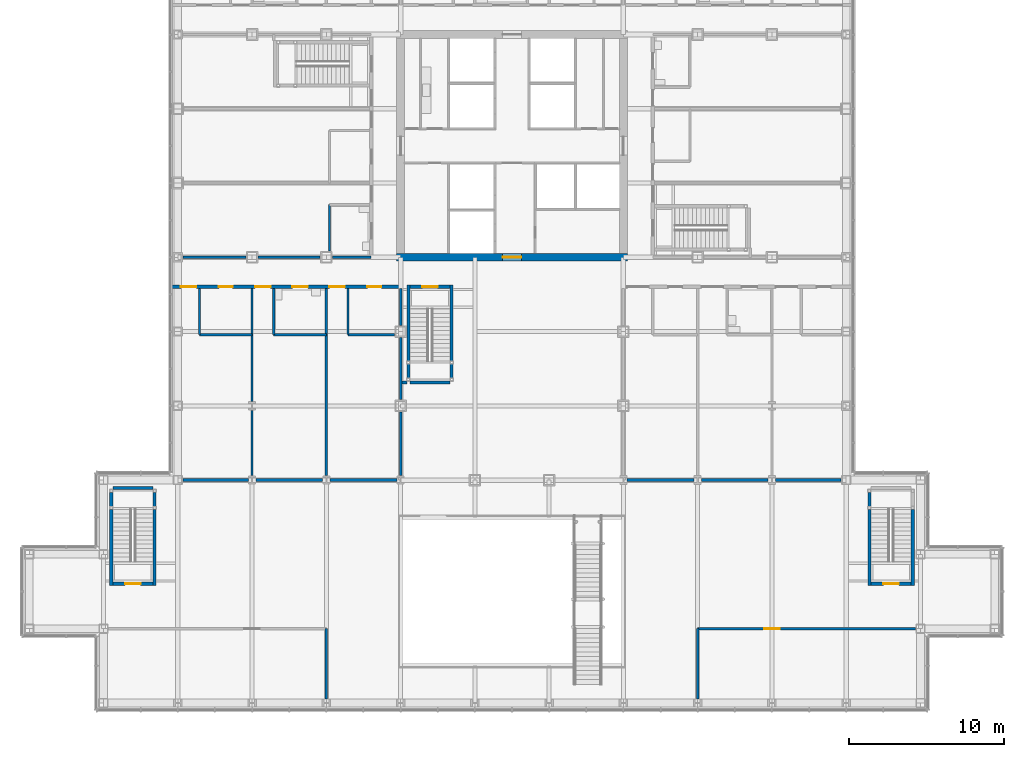
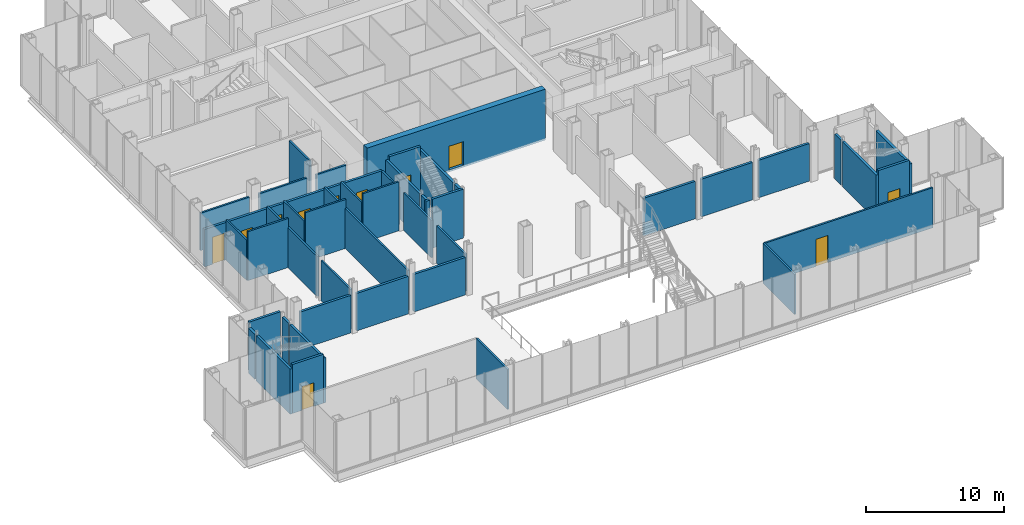
# One storey, part 19 of 28: 44 walls, 11 doors, 11 openings.
"""IFC4 building model written with IfcOpenShell, lengths in metres."""

import ifcopenshell
import ifcopenshell.guid

model = None  # the IFC model being written
_history = None  # IfcOwnerHistory: only IFC2X3 demands one
_inside = {}  # id of a spatial element -> (the spatial element, [elements in it])
_under = {}  # id of a project, library or spatial element -> (it, [spatial elements below it])
_declared = {}  # id of a project -> (the project, [libraries it declares])
_typed = {}  # id of a type object -> (the type object, [elements of that type])
_made_of = {}  # id of a material, layer set ... -> (it, [elements and type objects made of it])


def new_model(schema):
    """Start an empty IFC model of exactly this schema.

    Asked for "IFC4X3", IfcOpenShell would pick the latest addendum, in which some entities
    have other attributes; the version numbers below select the first issue.
    IFC2X3 requires an IfcOwnerHistory on every rooted entity: one is made here for all.
    """
    global model, _history
    if schema == "IFC4X3":
        model = ifcopenshell.file(schema_version=(4, 3, 0, 0))
    else:
        model = ifcopenshell.file(schema=schema)
    _inside.clear()
    _under.clear()
    _declared.clear()
    _typed.clear()
    _made_of.clear()
    _history = None
    if model.schema == "IFC2X3":
        org = make("IfcOrganization", Name="unknown")
        user = make(
            "IfcPersonAndOrganization",
            ThePerson=make("IfcPerson", FamilyName="unknown"),
            TheOrganization=org,
        )
        app = make(
            "IfcApplication",
            ApplicationDeveloper=org,
            Version="unknown",
            ApplicationFullName="unknown",
            ApplicationIdentifier="unknown",
        )
        _history = make(
            "IfcOwnerHistory",
            OwningUser=user,
            OwningApplication=app,
            ChangeAction="ADDED",
            CreationDate=0,
        )
    return model


def make(cls, **values):
    """One entity of the class cls with the attributes given. An attribute that is None is left unset."""
    return model.create_entity(
        cls, **{name: value for name, value in values.items() if value is not None}
    )


def rooted(cls, **values):
    """An entity with a GlobalId (a new one), such as an element, a storey or a relation."""
    return make(cls, GlobalId=ifcopenshell.guid.new(), OwnerHistory=_history, **values)


def si_unit(unit_type, name, prefix=None):
    """IfcSIUnit, for example si_unit("LENGTHUNIT", "METRE", prefix="MILLI")."""
    return make("IfcSIUnit", UnitType=unit_type, Prefix=prefix, Name=name)


def assignment(units):
    """IfcUnitAssignment: the units of a project."""
    return None if units is None else make("IfcUnitAssignment", Units=units)


def point(xyz):
    """IfcCartesianPoint."""
    return None if xyz is None else make("IfcCartesianPoint", Coordinates=xyz)


def direction(xyz):
    """IfcDirection."""
    return None if xyz is None else make("IfcDirection", DirectionRatios=xyz)


def frame(location, z_axis=None, x_axis=None):
    """IfcAxis2Placement3D, a coordinate frame: its origin and axes. An axis left out is left unset."""
    return make(
        "IfcAxis2Placement3D",
        Location=point(location),
        Axis=direction(z_axis),
        RefDirection=direction(x_axis),
    )


def frame_2d(location, x_axis=None):
    """IfcAxis2Placement2D, a coordinate frame in the plane: its origin and x axis."""
    return make(
        "IfcAxis2Placement2D", Location=point(location), RefDirection=direction(x_axis)
    )


def origin():
    """The frame at (0, 0, 0) with its axes left unset."""
    return frame((0.0, 0.0, 0.0))


def place(relative_to, where):
    """IfcLocalPlacement: puts the frame where relative to a parent placement (None: the world)."""
    return make(
        "IfcLocalPlacement", PlacementRelTo=relative_to, RelativePlacement=where
    )


def context(
    kind, dimensions, precision=None, world=None, true_north=None, identifier=None
):
    """IfcGeometricRepresentationContext, for example the 3D "Model" context."""
    return make(
        "IfcGeometricRepresentationContext",
        ContextIdentifier=identifier,
        ContextType=kind,
        CoordinateSpaceDimension=dimensions,
        Precision=precision,
        WorldCoordinateSystem=world,
        TrueNorth=true_north,
    )


def subcontext(parent, identifier, kind, view, scale=None):
    """IfcGeometricRepresentationSubContext, for example "Body" below "Model"."""
    return make(
        "IfcGeometricRepresentationSubContext",
        ContextIdentifier=identifier,
        ContextType=kind,
        ParentContext=parent,
        TargetScale=scale,
        TargetView=view,
    )


def project(units=None, contexts=None):
    """IfcProject with its units and contexts."""
    return rooted(
        "IfcProject",
        Name="project",
        RepresentationContexts=contexts,
        UnitsInContext=assignment(units),
    )


def spatial(cls, under=None, at=None, **own):
    """A site, building, storey or space (cls), placed at a placement, below another one or the project."""
    s = rooted(cls, ObjectPlacement=at, **own)
    if under is not None:
        _under.setdefault(under.id(), (under, []))[1].append(s)
    return s


def profile(cls, at=None, kind="AREA", **sizes):
    """A parametric profile (cls). Its sizes go by their IFC names, for example OverallWidth=200.0."""
    return make(cls, ProfileType=kind, Position=at, **sizes)


def rectangle(**sizes):
    """IfcRectangleProfileDef."""
    return profile("IfcRectangleProfileDef", **sizes)


def extrude(swept, where, along, depth):
    """IfcExtrudedAreaSolid: the profile swept, set in the frame where, extruded along a direction by depth."""
    return make(
        "IfcExtrudedAreaSolid",
        SweptArea=swept,
        Position=where,
        ExtrudedDirection=direction(along),
        Depth=depth,
    )


def shape(context_of_items, identifier, shape_type, items):
    """IfcShapeRepresentation: the items that make up one representation, for example the "Body"."""
    return make(
        "IfcShapeRepresentation",
        ContextOfItems=context_of_items,
        RepresentationIdentifier=identifier,
        RepresentationType=shape_type,
        Items=items,
    )


def material(Name=None, Category=None):
    """IfcMaterial."""
    return make("IfcMaterial", Name=Name, Category=Category)


def layer(
    of_material, thickness, ventilated=None, Name=None, Category=None, Priority=None
):
    """IfcMaterialLayer: one layer of a wall or slab, of a material (None: an air gap)."""
    return make(
        "IfcMaterialLayer",
        Material=of_material,
        LayerThickness=thickness,
        IsVentilated=ventilated,
        Name=Name,
        Category=Category,
        Priority=Priority,
    )


def layer_set(layers, Name=None):
    """IfcMaterialLayerSet."""
    return make("IfcMaterialLayerSet", MaterialLayers=layers, LayerSetName=Name)


def made_of(thing, what):
    """Note that an element or type object is made of a material, layer set ...; save() writes the relation."""
    if what is not None:
        _made_of.setdefault(what.id(), (what, []))[1].append(thing)
    return thing


def type_object(cls, material=None, **own):
    """A type object (cls), such as IfcWallType, which elements share."""
    return made_of(rooted(cls, **own), material)


def element(
    cls,
    number,
    at=None,
    inside=None,
    cuts=None,
    type_object=None,
    material=None,
    context=None,
    identifier="Body",
    shape_type=None,
    held_by="IfcProductDefinitionShape",
    body=None,
    shapes=None,
    **own,
):
    """One element of the class cls, such as IfcWall. Its Tag is "e" and its number.

    at: its placement. inside: the storey or other place that contains it. cuts: it is an
    opening in that element (IfcRelVoidsElement). A single representation is given by context,
    identifier, shape_type and body (its items); several are given by shapes. held_by: the class
    of the entity that holds the representations. save() writes the other relations.
    """
    e = rooted(cls, Tag="e%d" % number, ObjectPlacement=at, **own)
    if body is not None:
        shapes = [shape(context, identifier, shape_type, body)]
    if shapes is not None:
        e.Representation = make(held_by, Representations=shapes)
    if inside is not None:
        _inside.setdefault(inside.id(), (inside, []))[1].append(e)
    if cuts is not None:
        rooted(
            "IfcRelVoidsElement", RelatingBuildingElement=cuts, RelatedOpeningElement=e
        )
    if type_object is not None:
        _typed.setdefault(type_object.id(), (type_object, []))[1].append(e)
    return made_of(e, material)


def fill(opening, filler):
    """IfcRelFillsElement: the door or window that sits in an opening."""
    return rooted(
        "IfcRelFillsElement",
        RelatingOpeningElement=opening,
        RelatedBuildingElement=filler,
    )


def aggregate(whole, parts):
    """IfcRelAggregates: a whole, such as a stair, and the parts it consists of."""
    return rooted("IfcRelAggregates", RelatingObject=whole, RelatedObjects=parts)


def save(model, path):
    """Write the relations noted so far, then the file.

    IfcRelAggregates (storeys below a building ...), IfcRelContainedInSpatialStructure (elements
    in a storey), IfcRelDefinesByType, IfcRelAssociatesMaterial and IfcRelDeclares: one each for
    every whole, place, type object, material and project.
    """
    for whole, parts in _under.values():
        aggregate(whole, parts)
    for where, things in _inside.values():
        rooted(
            "IfcRelContainedInSpatialStructure",
            RelatedElements=things,
            RelatingStructure=where,
        )
    for kind, things in _typed.values():
        rooted("IfcRelDefinesByType", RelatedObjects=things, RelatingType=kind)
    for what, things in _made_of.values():
        rooted("IfcRelAssociatesMaterial", RelatedObjects=things, RelatingMaterial=what)
    for by, libraries in _declared.values():
        rooted("IfcRelDeclares", RelatingContext=by, RelatedDefinitions=libraries)
    model.write(path)


model = new_model("IFC4")

# Units and contexts
model_context = context("Model", 3, precision=1e-05, world=origin(), true_north=direction((0.0, 1.0)))
body_context = subcontext(model_context, "Body", "Model", "MODEL_VIEW")
ifc_project = project(units=[si_unit("LENGTHUNIT", "METRE"), si_unit("AREAUNIT", "SQUARE_METRE"), si_unit("VOLUMEUNIT", "CUBIC_METRE"), si_unit("PLANEANGLEUNIT", "RADIAN"), si_unit("MASSUNIT", "GRAM", prefix="KILO")], contexts=[model_context])

# Site, building, storey
site_placement = place(None, origin())
site = spatial("IfcSite", under=ifc_project, at=site_placement, CompositionType="ELEMENT")
building_placement = place(site_placement, origin())
building = spatial("IfcBuilding", under=site, at=building_placement, Name="Kvirike Care Tower", CompositionType="ELEMENT")
storey_placement = place(building_placement, frame((0.0, 0.0, 4.5)))
storey = spatial("IfcBuildingStorey", under=building, at=storey_placement, Name="L01", CompositionType="ELEMENT", Elevation=4.5)

# Walls
ifc_material_1 = material(Name="Plasterboard partition", Category="gypsum")
ifc_layer_1 = layer(ifc_material_1, 0.14990234375)
ifc_layer_set_1 = layer_set([ifc_layer_1], Name="CLINIC PARTITION 150")
wall_type_1 = type_object("IfcWallType", Name="CLINIC PARTITION 150", PredefinedType="PARTITIONING", material=ifc_layer_set_1)
wall_1_placement = place(storey_placement, frame((1.39990234375, 23.800048828125, 0.0), z_axis=(0.0, 0.0, 1.0), x_axis=(0.0, 1.0, 0.0)))
element("IfcWall", 1, at=wall_1_placement, inside=storey, type_object=wall_type_1, Name="Clinic Partition 150 L01", PredefinedType="PARTITIONING", context=body_context, shape_type="SweptSolid", body=[
    extrude(rectangle(XDim=3.0, YDim=0.14990234375, at=frame_2d((1.5, 0.0))), origin(), (0.0, 0.0, 1.0), 3.550048828125),
])
wall_2_placement = place(storey_placement, frame((1.39990234375, 23.800048828125, 0.0), z_axis=(0.0, 0.0, 1.0), x_axis=(1.0, 0.0, 0.0)))
element("IfcWall", 2, at=wall_2_placement, inside=storey, type_object=wall_type_1, Name="Clinic Partition 150 L01", PredefinedType="PARTITIONING", context=body_context, shape_type="SweptSolid", body=[
    extrude(rectangle(XDim=3.400146484375, YDim=0.14990234375, at=frame_2d((1.7001953125, 0.0))), origin(), (0.0, 0.0, 1.0), 4.330078125),
])
wall_3_placement = place(storey_placement, frame((6.199951171875, 23.800048828125, 0.0), z_axis=(0.0, 0.0, 1.0), x_axis=(0.0, 1.0, 0.0)))
element("IfcWall", 3, at=wall_3_placement, inside=storey, type_object=wall_type_1, Name="Clinic Partition 150 L01", PredefinedType="PARTITIONING", context=body_context, shape_type="SweptSolid", body=[
    extrude(rectangle(XDim=3.0, YDim=0.14990234375, at=frame_2d((1.5, 0.0))), origin(), (0.0, 0.0, 1.0), 3.550048828125),
])
wall_4_placement = place(storey_placement, frame((6.199951171875, 23.800048828125, 0.0), z_axis=(0.0, 0.0, 1.0), x_axis=(1.0, 0.0, 0.0)))
element("IfcWall", 4, at=wall_4_placement, inside=storey, type_object=wall_type_1, Name="Clinic Partition 150 L01", PredefinedType="PARTITIONING", context=body_context, shape_type="SweptSolid", body=[
    extrude(rectangle(XDim=3.400146484375, YDim=0.14990234375, at=frame_2d((1.7001953125, 0.0))), origin(), (0.0, 0.0, 1.0), 4.330078125),
])
wall_5_placement = place(storey_placement, frame((11.0, 23.800048828125, 0.0), z_axis=(0.0, 0.0, 1.0), x_axis=(0.0, 1.0, 0.0)))
element("IfcWall", 5, at=wall_5_placement, inside=storey, type_object=wall_type_1, Name="Clinic Partition 150 L01", PredefinedType="PARTITIONING", context=body_context, shape_type="SweptSolid", body=[
    extrude(rectangle(XDim=3.0, YDim=0.14990234375, at=frame_2d((1.5, 0.0))), origin(), (0.0, 0.0, 1.0), 3.550048828125),
])
wall_6_placement = place(storey_placement, frame((11.0, 23.800048828125, 0.0), z_axis=(0.0, 0.0, 1.0), x_axis=(1.0, 0.0, 0.0)))
element("IfcWall", 6, at=wall_6_placement, inside=storey, type_object=wall_type_1, Name="Clinic Partition 150 L01", PredefinedType="PARTITIONING", context=body_context, shape_type="SweptSolid", body=[
    extrude(rectangle(XDim=3.0048828125, YDim=0.14990234375, at=frame_2d((1.50244140625, 0.0))), origin(), (0.0, 0.0, 1.0), 4.330078125),
])
wall_7_placement = place(storey_placement, frame((4.800048828125, 14.685546875, 0.0), z_axis=(0.0, 0.0, 1.0), x_axis=(0.0, 1.0, 0.0)))
element("IfcWall", 7, at=wall_7_placement, inside=storey, type_object=wall_type_1, Name="Clinic Partition 150 L01", PredefinedType="PARTITIONING", context=body_context, shape_type="SweptSolid", body=[
    extrude(rectangle(XDim=4.22900390625, YDim=0.14990234375, at=frame_2d((2.114501953125, 0.0))), origin(), (0.0, 0.0, 1.0), 3.550048828125),
])
wall_8_placement = place(storey_placement, frame((4.800048828125, 19.485595703125, 0.0), z_axis=(0.0, 0.0, 1.0), x_axis=(0.0, 1.0, 0.0)))
element("IfcWall", 8, at=wall_8_placement, inside=storey, type_object=wall_type_1, Name="Clinic Partition 150 L01", PredefinedType="PARTITIONING", context=body_context, shape_type="SweptSolid", body=[
    extrude(rectangle(XDim=7.314453125, YDim=0.14990234375, at=frame_2d((3.6572265625, 0.0))), origin(), (0.0, 0.0, 1.0), 3.550048828125),
])
wall_9_placement = place(storey_placement, frame((9.60009765625, 14.685546875, 0.0), z_axis=(0.0, 0.0, 1.0), x_axis=(0.0, 1.0, 0.0)))
element("IfcWall", 9, at=wall_9_placement, inside=storey, type_object=wall_type_1, Name="Clinic Partition 150 L01", PredefinedType="PARTITIONING", context=body_context, shape_type="SweptSolid", body=[
    extrude(rectangle(XDim=12.114501953125, YDim=0.14990234375, at=frame_2d((6.05712890625, 0.0))), origin(), (0.0, 0.0, 1.0), 3.550048828125),
])
wall_10_placement = place(storey_placement, frame((9.800048828125, 32.199951171875, 0.0), z_axis=(0.0, 0.0, 1.0), x_axis=(0.0, -1.0, 0.0)))
element("IfcWall", 10, at=wall_10_placement, inside=storey, type_object=wall_type_1, Name="Clinic Partition 150 L01", PredefinedType="PARTITIONING", context=body_context, shape_type="SweptSolid", body=[
    extrude(rectangle(XDim=3.0048828125, YDim=0.14990234375, at=frame_2d((1.50244140625, 0.0))), origin(), (0.0, 0.0, 1.0), 4.330078125),
])

# Wall, opening, door
wall_11_placement = place(storey_placement, frame((33.60009765625, 4.800048828125, 0.0), z_axis=(0.0, 0.0, 1.0), x_axis=(1.0, 0.0, 0.0)))
wall_11 = element("IfcWall", 11, at=wall_11_placement, inside=storey, type_object=wall_type_1, Name="Clinic Partition 150 L01", PredefinedType="PARTITIONING", context=body_context, shape_type="SweptSolid", body=[
    extrude(rectangle(XDim=14.079833984375, YDim=0.14990234375, at=frame_2d((7.0400390625, 0.0))), origin(), (0.0, 0.0, 1.0), 3.550048828125),
])
opening_1_placement = place(wall_11_placement, frame((4.300048828125, 0.0, 0.0)))
opening_1 = element("IfcOpeningElement", 12, at=opening_1_placement, cuts=wall_11, Name="Opening 01-047", PredefinedType="OPENING", context=body_context, shape_type="SweptSolid", body=[
    extrude(rectangle(XDim=1.0, YDim=2.39990234375, at=frame_2d((0.5, 1.199951171875))), frame((0.0, 0.08544921875, 0.0), z_axis=(0.0, -1.0, 0.0), x_axis=(1.0, 0.0, 0.0)), (0.0, 0.0, 1.0), 0.1708984375),
])
ifc_material_2 = material(Name="Timber door set", Category="wood")
door_type_1 = type_object("IfcDoorType", Name="CONSULTING ROOM DOOR 1000", OperationType="SINGLE_SWING_LEFT", PredefinedType="DOOR", material=ifc_material_2)
door_1_placement = place(opening_1_placement, frame((1.0, 0.0, 0.0), z_axis=(0.0, 0.0, 1.0), x_axis=(-1.0, 0.0, 0.0)))
door_1 = element("IfcDoor", 13, at=door_1_placement, inside=storey, type_object=door_type_1, Name="Room door", OperationType="SINGLE_SWING_LEFT", OverallHeight=2.39990234375, OverallWidth=1.0, PredefinedType="DOOR", context=body_context, shape_type="SweptSolid", body=[
    extrude(rectangle(XDim=1.0, YDim=2.39990234375, at=frame_2d((0.5, 1.199951171875))), frame((0.0, 0.02685546875, 0.0), z_axis=(0.0, -1.0, 0.0), x_axis=(1.0, 0.0, 0.0)), (0.0, 0.0, 1.0), 0.053955078125),
])
fill(opening_1, door_1)

# Walls
for number, where, z_axis, x_axis, name in (
    (14, (9.60009765625, 0.243896484375, 0.0), (0.0, 0.0, 1.0), (0.0, 1.0, 0.0), "Clinic Partition 150 L01"),
    (15, (33.60009765625, 0.243896484375, 0.0), (0.0, 0.0, 1.0), (0.0, 1.0, 0.0), "Clinic Partition 150 L01"),
):
    element("IfcWall", number, at=place(storey_placement, frame(where, z_axis=z_axis, x_axis=x_axis)), inside=storey, type_object=wall_type_1, Name=name, PredefinedType="PARTITIONING", context=body_context, shape_type="SweptSolid", body=[
        extrude(rectangle(XDim=4.55615234375, YDim=0.14990234375, at=frame_2d((2.278076171875, 0.0))), origin(), (0.0, 0.0, 1.0), 3.550048828125),
    ])
wall_12_placement = place(storey_placement, frame((12.5, 28.800048828125, 0.0), z_axis=(0.0, 0.0, 1.0), x_axis=(-1.0, 0.0, 0.0)))
element("IfcWall", 16, at=wall_12_placement, inside=storey, type_object=wall_type_1, Name="Clinic Partition 150 L01", PredefinedType="PARTITIONING", context=body_context, shape_type="SweptSolid", body=[
    extrude(rectangle(XDim=2.5048828125, YDim=0.14990234375, at=frame_2d((1.25244140625, 0.0))), origin(), (0.0, 0.0, 1.0), 3.320068359375),
])
wall_13_placement = place(storey_placement, frame((9.205078125, 28.800048828125, 0.0), z_axis=(0.0, 0.0, 1.0), x_axis=(-1.0, 0.0, 0.0)))
element("IfcWall", 17, at=wall_13_placement, inside=storey, type_object=wall_type_1, Name="Clinic Partition 150 L01", PredefinedType="PARTITIONING", context=body_context, shape_type="SweptSolid", body=[
    extrude(rectangle(XDim=4.010009765625, YDim=0.14990234375, at=frame_2d((2.0048828125, 0.0))), origin(), (0.0, 0.0, 1.0), 3.320068359375),
])
wall_14_placement = place(storey_placement, frame((4.405029296875, 28.800048828125, 0.0), z_axis=(0.0, 0.0, 1.0), x_axis=(-1.0, 0.0, 0.0)))
element("IfcWall", 18, at=wall_14_placement, inside=storey, type_object=wall_type_1, Name="Clinic Partition 150 L01", PredefinedType="PARTITIONING", context=body_context, shape_type="SweptSolid", body=[
    extrude(rectangle(XDim=4.0849609375, YDim=0.14990234375, at=frame_2d((2.04248046875, 0.0))), origin(), (0.0, 0.0, 1.0), 3.320068359375),
])
wall_15_placement = place(storey_placement, frame((14.39990234375, 14.685546875, 0.0), z_axis=(0.0, 0.0, 1.0), x_axis=(0.0, 1.0, 0.0)))
element("IfcWall", 19, at=wall_15_placement, inside=storey, type_object=wall_type_1, Name="Clinic Partition 150 L01", PredefinedType="PARTITIONING", context=body_context, shape_type="SweptSolid", body=[
    extrude(rectangle(XDim=4.119384765625, YDim=0.14990234375, at=frame_2d((2.0595703125, 0.0))), origin(), (0.0, 0.0, 1.0), 3.320068359375),
])
wall_16_placement = place(storey_placement, frame((14.39990234375, 19.594970703125, 0.0), z_axis=(0.0, 0.0, 1.0), x_axis=(0.0, 1.0, 0.0)))
element("IfcWall", 20, at=wall_16_placement, inside=storey, type_object=wall_type_1, Name="Clinic Partition 150 L01", PredefinedType="PARTITIONING", context=body_context, shape_type="SweptSolid", body=[
    extrude(rectangle(XDim=4.010009765625, YDim=0.14990234375, at=frame_2d((2.0048828125, 0.0))), origin(), (0.0, 0.0, 1.0), 3.320068359375),
])
wall_17_placement = place(storey_placement, frame((14.39990234375, 24.39501953125, 0.0), z_axis=(0.0, 0.0, 1.0), x_axis=(0.0, 1.0, 0.0)))
element("IfcWall", 21, at=wall_17_placement, inside=storey, type_object=wall_type_1, Name="Clinic Partition 150 L01", PredefinedType="PARTITIONING", context=body_context, shape_type="SweptSolid", body=[
    extrude(rectangle(XDim=2.405029296875, YDim=0.14990234375, at=frame_2d((1.20263671875, 0.0))), origin(), (0.0, 0.0, 1.0), 3.320068359375),
])

# Wall, opening, door
ifc_material_3 = material(Name="Concrete C60/75", Category="concrete")
ifc_layer_2 = layer(ifc_material_3, 0.5)
ifc_layer_set_2 = layer_set([ifc_layer_2], Name="CORE WALL 500 C60-75")
wall_type_2 = type_object("IfcWallType", Name="CORE WALL 500 C60-75", PredefinedType="SHEAR", material=ifc_layer_set_2)
wall_18_placement = place(storey_placement, frame((14.14990234375, 28.800048828125, -0.169921875), z_axis=(0.0, 0.0, 1.0), x_axis=(1.0, 0.0, 0.0)))
wall_18 = element("IfcWall", 22, at=wall_18_placement, inside=storey, type_object=wall_type_2, Name="Core wall S L01", PredefinedType="SHEAR", context=body_context, shape_type="SweptSolid", body=[
    extrude(rectangle(XDim=14.900146484375, YDim=0.5, at=frame_2d((7.4501953125, 0.0))), origin(), (0.0, 0.0, 1.0), 4.5),
])
opening_2_placement = place(wall_18_placement, frame((6.85009765625, 0.0, 0.169921875)))
opening_2 = element("IfcOpeningElement", 23, at=opening_2_placement, cuts=wall_18, Name="Opening 01-059", PredefinedType="OPENING", context=body_context, shape_type="SweptSolid", body=[
    extrude(rectangle(XDim=1.199951171875, YDim=2.10009765625, at=frame_2d((0.60009765625, 1.050048828125))), frame((0.0, 0.260498046875, 0.0), z_axis=(0.0, -1.0, 0.0), x_axis=(1.0, 0.0, 0.0)), (0.0, 0.0, 1.0), 0.52099609375),
])
ifc_material_4 = material(Name="Timber door set", Category="wood")
door_type_2 = type_object("IfcDoorType", Name="CORE DOOR 1200", OperationType="SINGLE_SWING_LEFT", PredefinedType="DOOR", material=ifc_material_4)
door_2_placement = place(opening_2_placement, origin())
door_2 = element("IfcDoor", 24, at=door_2_placement, inside=storey, type_object=door_type_2, Name="Core door S L01", OperationType="SINGLE_SWING_LEFT", OverallHeight=2.10009765625, OverallWidth=1.199951171875, PredefinedType="DOOR", context=body_context, shape_type="SweptSolid", body=[
    extrude(rectangle(XDim=1.199951171875, YDim=2.10009765625, at=frame_2d((0.60009765625, 1.050048828125))), frame((0.0, 0.02685546875, 0.0), z_axis=(0.0, -1.0, 0.0), x_axis=(1.0, 0.0, 0.0)), (0.0, 0.0, 1.0), 0.053955078125),
])
fill(opening_2, door_2)

# Wall, openings, doors
ifc_material_5 = material(Name="Plasterboard corridor wall", Category="gypsum")
ifc_layer_3 = layer(ifc_material_5, 0.199951171875)
ifc_layer_set_3 = layer_set([ifc_layer_3], Name="CORRIDOR WALL 200")
wall_type_3 = type_object("IfcWallType", Name="CORRIDOR WALL 200", PredefinedType="PARTITIONING", material=ifc_layer_set_3)
wall_19_placement = place(storey_placement, frame((-0.455078125, 26.89990234375, 0.0), z_axis=(0.0, 0.0, 1.0), x_axis=(1.0, 0.0, 0.0)))
wall_19 = element("IfcWall", 25, at=wall_19_placement, inside=storey, type_object=wall_type_3, Name="Corridor Wall 200 L01", PredefinedType="PARTITIONING", context=body_context, shape_type="SweptSolid", body=[
    extrude(rectangle(XDim=14.85498046875, YDim=0.199951171875, at=frame_2d((7.427490234375, 0.0))), origin(), (0.0, 0.0, 1.0), 3.320068359375),
])
opening_3_placement = place(wall_19_placement, frame((0.655029296875, 0.0, 0.0)))
opening_3 = element("IfcOpeningElement", 26, at=opening_3_placement, cuts=wall_19, Name="Opening 01-001", PredefinedType="OPENING", context=body_context, shape_type="SweptSolid", body=[
    extrude(rectangle(XDim=1.0, YDim=2.39990234375, at=frame_2d((0.5, 1.199951171875))), frame((0.0, 0.110595703125, 0.0), z_axis=(0.0, -1.0, 0.0), x_axis=(1.0, 0.0, 0.0)), (0.0, 0.0, 1.0), 0.220947265625),
])
opening_4_placement = place(wall_19_placement, frame((5.455078125, 0.0, 0.0)))
opening_4 = element("IfcOpeningElement", 27, at=opening_4_placement, cuts=wall_19, Name="Opening 01-002", PredefinedType="OPENING", context=body_context, shape_type="SweptSolid", body=[
    extrude(rectangle(XDim=1.0, YDim=2.39990234375, at=frame_2d((0.5, 1.199951171875))), frame((0.0, 0.110595703125, 0.0), z_axis=(0.0, -1.0, 0.0), x_axis=(1.0, 0.0, 0.0)), (0.0, 0.0, 1.0), 0.220947265625),
])
opening_5_placement = place(wall_19_placement, frame((10.2548828125, 0.0, 0.0)))
opening_5 = element("IfcOpeningElement", 28, at=opening_5_placement, cuts=wall_19, Name="Opening 01-003", PredefinedType="OPENING", context=body_context, shape_type="SweptSolid", body=[
    extrude(rectangle(XDim=1.0, YDim=2.39990234375, at=frame_2d((0.5, 1.199951171875))), frame((0.0, 0.110595703125, 0.0), z_axis=(0.0, -1.0, 0.0), x_axis=(1.0, 0.0, 0.0)), (0.0, 0.0, 1.0), 0.220947265625),
])
opening_6_placement = place(wall_19_placement, frame((3.10498046875, 0.0, 0.0)))
opening_6 = element("IfcOpeningElement", 29, at=opening_6_placement, cuts=wall_19, Name="Opening 01-004", PredefinedType="OPENING", context=body_context, shape_type="SweptSolid", body=[
    extrude(rectangle(XDim=0.89990234375, YDim=2.10009765625, at=frame_2d((0.449951171875, 1.050048828125))), frame((0.0, 0.110595703125, 0.0), z_axis=(0.0, -1.0, 0.0), x_axis=(1.0, 0.0, 0.0)), (0.0, 0.0, 1.0), 0.220947265625),
])
opening_7_placement = place(wall_19_placement, frame((7.85498046875, 0.0, 0.0)))
opening_7 = element("IfcOpeningElement", 30, at=opening_7_placement, cuts=wall_19, Name="Opening 01-005", PredefinedType="OPENING", context=body_context, shape_type="SweptSolid", body=[
    extrude(rectangle(XDim=1.0, YDim=2.10009765625, at=frame_2d((0.5, 1.050048828125))), frame((0.0, 0.110595703125, 0.0), z_axis=(0.0, -1.0, 0.0), x_axis=(1.0, 0.0, 0.0)), (0.0, 0.0, 1.0), 0.220947265625),
])
opening_8_placement = place(wall_19_placement, frame((12.705078125, 0.0, 0.0)))
opening_8 = element("IfcOpeningElement", 31, at=opening_8_placement, cuts=wall_19, Name="Opening 01-006", PredefinedType="OPENING", context=body_context, shape_type="SweptSolid", body=[
    extrude(rectangle(XDim=0.89990234375, YDim=2.10009765625, at=frame_2d((0.449951171875, 1.050048828125))), frame((0.0, 0.110595703125, 0.0), z_axis=(0.0, -1.0, 0.0), x_axis=(1.0, 0.0, 0.0)), (0.0, 0.0, 1.0), 0.220947265625),
])
door_3_placement = place(opening_3_placement, frame((1.0, 0.0, 0.0), z_axis=(0.0, 0.0, 1.0), x_axis=(-1.0, 0.0, 0.0)))
door_3 = element("IfcDoor", 32, at=door_3_placement, inside=storey, type_object=door_type_1, Name="Consulting room door", OperationType="SINGLE_SWING_RIGHT", OverallHeight=2.39990234375, OverallWidth=1.0, PredefinedType="DOOR", context=body_context, shape_type="SweptSolid", body=[
    extrude(rectangle(XDim=1.0, YDim=2.39990234375, at=frame_2d((0.5, 1.199951171875))), frame((0.0, 0.02685546875, 0.0), z_axis=(0.0, -1.0, 0.0), x_axis=(1.0, 0.0, 0.0)), (0.0, 0.0, 1.0), 0.053955078125),
])
fill(opening_3, door_3)
door_4_placement = place(opening_4_placement, frame((1.0, 0.0, 0.0), z_axis=(0.0, 0.0, 1.0), x_axis=(-1.0, 0.0, 0.0)))
door_4 = element("IfcDoor", 33, at=door_4_placement, inside=storey, type_object=door_type_1, Name="Consulting room door", OperationType="SINGLE_SWING_RIGHT", OverallHeight=2.39990234375, OverallWidth=1.0, PredefinedType="DOOR", context=body_context, shape_type="SweptSolid", body=[
    extrude(rectangle(XDim=1.0, YDim=2.39990234375, at=frame_2d((0.5, 1.199951171875))), frame((0.0, 0.02685546875, 0.0), z_axis=(0.0, -1.0, 0.0), x_axis=(1.0, 0.0, 0.0)), (0.0, 0.0, 1.0), 0.053955078125),
])
fill(opening_4, door_4)
door_5_placement = place(opening_5_placement, frame((1.0, 0.0, 0.0), z_axis=(0.0, 0.0, 1.0), x_axis=(-1.0, 0.0, 0.0)))
door_5 = element("IfcDoor", 34, at=door_5_placement, inside=storey, type_object=door_type_1, Name="Consulting room door", OperationType="SINGLE_SWING_RIGHT", OverallHeight=2.39990234375, OverallWidth=1.0, PredefinedType="DOOR", context=body_context, shape_type="SweptSolid", body=[
    extrude(rectangle(XDim=1.0, YDim=2.39990234375, at=frame_2d((0.5, 1.199951171875))), frame((0.0, 0.02685546875, 0.0), z_axis=(0.0, -1.0, 0.0), x_axis=(1.0, 0.0, 0.0)), (0.0, 0.0, 1.0), 0.053955078125),
])
fill(opening_5, door_5)
ifc_material_6 = material(Name="Timber door set", Category="wood")
door_type_3 = type_object("IfcDoorType", Name="STORE DOOR 900", OperationType="SINGLE_SWING_LEFT", PredefinedType="DOOR", material=ifc_material_6)
door_6_placement = place(opening_6_placement, frame((0.89990234375, 0.0, 0.0), z_axis=(0.0, 0.0, 1.0), x_axis=(-1.0, 0.0, 0.0)))
door_6 = element("IfcDoor", 35, at=door_6_placement, inside=storey, type_object=door_type_3, Name="Clean utility door", OperationType="SINGLE_SWING_RIGHT", OverallHeight=2.10009765625, OverallWidth=0.89990234375, PredefinedType="DOOR", context=body_context, shape_type="SweptSolid", body=[
    extrude(rectangle(XDim=0.89990234375, YDim=2.10009765625, at=frame_2d((0.449951171875, 1.050048828125))), frame((0.0, 0.02685546875, 0.0), z_axis=(0.0, -1.0, 0.0), x_axis=(1.0, 0.0, 0.0)), (0.0, 0.0, 1.0), 0.053955078125),
])
fill(opening_6, door_6)
door_7_placement = place(opening_8_placement, frame((0.89990234375, 0.0, 0.0), z_axis=(0.0, 0.0, 1.0), x_axis=(-1.0, 0.0, 0.0)))
door_7 = element("IfcDoor", 36, at=door_7_placement, inside=storey, type_object=door_type_3, Name="Dirty utility door", OperationType="SINGLE_SWING_LEFT", OverallHeight=2.10009765625, OverallWidth=0.89990234375, PredefinedType="DOOR", context=body_context, shape_type="SweptSolid", body=[
    extrude(rectangle(XDim=0.89990234375, YDim=2.10009765625, at=frame_2d((0.449951171875, 1.050048828125))), frame((0.0, 0.02685546875, 0.0), z_axis=(0.0, -1.0, 0.0), x_axis=(1.0, 0.0, 0.0)), (0.0, 0.0, 1.0), 0.053955078125),
])
fill(opening_8, door_7)
ifc_material_7 = material(Name="Timber door set", Category="wood")
door_type_4 = type_object("IfcDoorType", Name="WC DOOR 1000", OperationType="SINGLE_SWING_LEFT", PredefinedType="DOOR", material=ifc_material_7)
door_8_placement = place(opening_7_placement, frame((1.0, 0.0, 0.0), z_axis=(0.0, 0.0, 1.0), x_axis=(-1.0, 0.0, 0.0)))
door_8 = element("IfcDoor", 37, at=door_8_placement, inside=storey, type_object=door_type_4, Name="Accessible WC door", OperationType="SINGLE_SWING_LEFT", OverallHeight=2.10009765625, OverallWidth=1.0, PredefinedType="DOOR", context=body_context, shape_type="SweptSolid", body=[
    extrude(rectangle(XDim=1.0, YDim=2.10009765625, at=frame_2d((0.5, 1.050048828125))), frame((0.0, 0.02685546875, 0.0), z_axis=(0.0, -1.0, 0.0), x_axis=(1.0, 0.0, 0.0)), (0.0, 0.0, 1.0), 0.053955078125),
])
fill(opening_7, door_8)

# Walls
ifc_material_8 = material(Name="Plasterboard party wall", Category="gypsum")
ifc_layer_4 = layer(ifc_material_8, 0.199951171875)
ifc_layer_set_4 = layer_set([ifc_layer_4], Name="PARTY WALL 200")
wall_type_4 = type_object("IfcWallType", Name="PARTY WALL 200", PredefinedType="PARTITIONING", material=ifc_layer_set_4)
wall_20_placement = place(storey_placement, frame((0.320068359375, 14.39990234375, 0.0), z_axis=(0.0, 0.0, 1.0), x_axis=(1.0, 0.0, 0.0)))
element("IfcWall", 38, at=wall_20_placement, inside=storey, type_object=wall_type_4, Name="Party Wall 200 L01", PredefinedType="PARTITIONING", context=body_context, shape_type="SweptSolid", body=[
    extrude(rectangle(XDim=4.239013671875, YDim=0.199951171875, at=frame_2d((2.11962890625, 0.0))), origin(), (0.0, 0.0, 1.0), 3.320068359375),
])
for number, where, z_axis, x_axis, name in (
    (39, (5.041015625, 14.39990234375, 0.0), (0.0, 0.0, 1.0), (1.0, 0.0, 0.0), "Party Wall 200 L01"),
    (40, (9.841064453125, 14.39990234375, 0.0), (0.0, 0.0, 1.0), (1.0, 0.0, 0.0), "Party Wall 200 L01"),
):
    element("IfcWall", number, at=place(storey_placement, frame(where, z_axis=z_axis, x_axis=x_axis)), inside=storey, type_object=wall_type_4, Name=name, PredefinedType="PARTITIONING", context=body_context, shape_type="SweptSolid", body=[
        extrude(rectangle(XDim=4.31787109375, YDim=0.199951171875, at=frame_2d((2.158935546875, 0.0))), origin(), (0.0, 0.0, 1.0), 3.320068359375),
    ])
wall_21_placement = place(storey_placement, frame((29.047119140625, 14.39990234375, 0.0), z_axis=(0.0, 0.0, 1.0), x_axis=(1.0, 0.0, 0.0)))
element("IfcWall", 41, at=wall_21_placement, inside=storey, type_object=wall_type_4, Name="Party Wall 200 L01", PredefinedType="PARTITIONING", context=body_context, shape_type="SweptSolid", body=[
    extrude(rectangle(XDim=4.305908203125, YDim=0.199951171875, at=frame_2d((2.15283203125, 0.0))), origin(), (0.0, 0.0, 1.0), 3.320068359375),
])
wall_22_placement = place(storey_placement, frame((33.846923828125, 14.39990234375, 0.0), z_axis=(0.0, 0.0, 1.0), x_axis=(1.0, 0.0, 0.0)))
element("IfcWall", 42, at=wall_22_placement, inside=storey, type_object=wall_type_4, Name="Party Wall 200 L01", PredefinedType="PARTITIONING", context=body_context, shape_type="SweptSolid", body=[
    extrude(rectangle(XDim=4.30615234375, YDim=0.199951171875, at=frame_2d((2.153076171875, 0.0))), origin(), (0.0, 0.0, 1.0), 3.320068359375),
])
wall_23_placement = place(storey_placement, frame((38.64697265625, 14.39990234375, 0.0), z_axis=(0.0, 0.0, 1.0), x_axis=(1.0, 0.0, 0.0)))
element("IfcWall", 43, at=wall_23_placement, inside=storey, type_object=wall_type_4, Name="Party Wall 200 L01", PredefinedType="PARTITIONING", context=body_context, shape_type="SweptSolid", body=[
    extrude(rectangle(XDim=4.23291015625, YDim=0.199951171875, at=frame_2d((2.116455078125, 0.0))), origin(), (0.0, 0.0, 1.0), 3.320068359375),
])
ifc_material_9 = material(Name="Concrete C40/50", Category="concrete")
ifc_layer_5 = layer(ifc_material_9, 0.199951171875)
ifc_layer_set_5 = layer_set([ifc_layer_5], Name="STAIR WALL 200")
wall_type_5 = type_object("IfcWallType", Name="STAIR WALL 200", PredefinedType="SOLIDWALL", material=ifc_layer_set_5)
wall_24_placement = place(storey_placement, frame((14.89990234375, 21.0, 0.0), z_axis=(0.0, 0.0, 1.0), x_axis=(0.0, 1.0, 0.0)))
element("IfcWall", 44, at=wall_24_placement, inside=storey, type_object=wall_type_5, Name="Stair Wall 200 L01", PredefinedType="SOLIDWALL", context=body_context, shape_type="SweptSolid", body=[
    extrude(rectangle(XDim=0.89990234375, YDim=0.199951171875, at=frame_2d((0.449951171875, 0.0))), origin(), (0.0, 0.0, 1.0), 3.989990234375),
])
wall_25_placement = place(storey_placement, frame((14.89990234375, 22.10009765625, 0.0), z_axis=(0.0, 0.0, 1.0), x_axis=(0.0, 1.0, 0.0)))
element("IfcWall", 45, at=wall_25_placement, inside=storey, type_object=wall_type_5, Name="Stair Wall 200 L01", PredefinedType="SOLIDWALL", context=body_context, shape_type="SweptSolid", body=[
    extrude(rectangle(XDim=4.89990234375, YDim=0.199951171875, at=frame_2d((2.449951171875, 0.0))), origin(), (0.0, 0.0, 1.0), 3.989990234375),
])
wall_26_placement = place(storey_placement, frame((17.699951171875, 21.0, 0.0), z_axis=(0.0, 0.0, 1.0), x_axis=(0.0, 1.0, 0.0)))
element("IfcWall", 46, at=wall_26_placement, inside=storey, type_object=wall_type_5, Name="Stair Wall 200 L01", PredefinedType="SOLIDWALL", context=body_context, shape_type="SweptSolid", body=[
    extrude(rectangle(XDim=0.89990234375, YDim=0.199951171875, at=frame_2d((0.449951171875, 0.0))), origin(), (0.0, 0.0, 1.0), 3.989990234375),
])
wall_27_placement = place(storey_placement, frame((17.699951171875, 22.10009765625, 0.0), z_axis=(0.0, 0.0, 1.0), x_axis=(0.0, 1.0, 0.0)))
element("IfcWall", 47, at=wall_27_placement, inside=storey, type_object=wall_type_5, Name="Stair Wall 200 L01", PredefinedType="SOLIDWALL", context=body_context, shape_type="SweptSolid", body=[
    extrude(rectangle(XDim=4.89990234375, YDim=0.199951171875, at=frame_2d((2.449951171875, 0.0))), origin(), (0.0, 0.0, 1.0), 3.989990234375),
])
wall_28_placement = place(storey_placement, frame((14.47509765625, 20.699951171875, 0.0), z_axis=(0.0, 0.0, 1.0), x_axis=(1.0, 0.0, 0.0)))
element("IfcWall", 48, at=wall_28_placement, inside=storey, type_object=wall_type_5, Name="Stair Wall 200 L01", PredefinedType="SOLIDWALL", context=body_context, shape_type="SweptSolid", body=[
    extrude(rectangle(XDim=0.324951171875, YDim=0.199951171875, at=frame_2d((0.16259765625, 0.0))), origin(), (0.0, 0.0, 1.0), 4.330078125),
])
wall_29_placement = place(storey_placement, frame((15.0, 20.699951171875, 0.0), z_axis=(0.0, 0.0, 1.0), x_axis=(1.0, 0.0, 0.0)))
element("IfcWall", 49, at=wall_29_placement, inside=storey, type_object=wall_type_5, Name="Stair Wall 200 L01", PredefinedType="SOLIDWALL", context=body_context, shape_type="SweptSolid", body=[
    extrude(rectangle(XDim=2.60009765625, YDim=0.199951171875, at=frame_2d((1.300048828125, 0.0))), origin(), (0.0, 0.0, 1.0), 4.330078125),
])

# Wall, opening, door
wall_30_placement = place(storey_placement, frame((15.0, 26.89990234375, 0.0), z_axis=(0.0, 0.0, 1.0), x_axis=(1.0, 0.0, 0.0)))
wall_30 = element("IfcWall", 50, at=wall_30_placement, inside=storey, type_object=wall_type_5, Name="Stair Wall 200 L01", PredefinedType="SOLIDWALL", context=body_context, shape_type="SweptSolid", body=[
    extrude(rectangle(XDim=2.60009765625, YDim=0.199951171875, at=frame_2d((1.300048828125, 0.0))), origin(), (0.0, 0.0, 1.0), 4.330078125),
])
opening_9_placement = place(wall_30_placement, frame((0.800048828125, 0.0, 0.0)))
opening_9 = element("IfcOpeningElement", 51, at=opening_9_placement, cuts=wall_30, Name="Opening 01-019", PredefinedType="OPENING", context=body_context, shape_type="SweptSolid", body=[
    extrude(rectangle(XDim=1.0, YDim=2.10009765625, at=frame_2d((0.5, 1.050048828125))), frame((0.0, 0.110595703125, 0.0), z_axis=(0.0, -1.0, 0.0), x_axis=(1.0, 0.0, 0.0)), (0.0, 0.0, 1.0), 0.220947265625),
])
ifc_material_10 = material(Name="Timber door set", Category="wood")
door_type_5 = type_object("IfcDoorType", Name="STAIR DOOR 1000", OperationType="SINGLE_SWING_LEFT", PredefinedType="DOOR", material=ifc_material_10)
door_9_placement = place(opening_9_placement, frame((1.0, 0.0, 0.0), z_axis=(0.0, 0.0, 1.0), x_axis=(-1.0, 0.0, 0.0)))
door_9 = element("IfcDoor", 52, at=door_9_placement, inside=storey, type_object=door_type_5, Name="Stair 5 door", OperationType="SINGLE_SWING_LEFT", OverallHeight=2.10009765625, OverallWidth=1.0, PredefinedType="DOOR", context=body_context, shape_type="SweptSolid", body=[
    extrude(rectangle(XDim=1.0, YDim=2.10009765625, at=frame_2d((0.5, 1.050048828125))), frame((0.0, 0.031982421875, 0.0), z_axis=(0.0, -1.0, 0.0), x_axis=(1.0, 0.0, 0.0)), (0.0, 0.0, 1.0), 0.06396484375),
])
fill(opening_9, door_9)

# Walls
wall_31_placement = place(storey_placement, frame((-4.300048828125, 13.60009765625, 0.0), z_axis=(0.0, 0.0, 1.0), x_axis=(0.0, -1.0, 0.0)))
element("IfcWall", 53, at=wall_31_placement, inside=storey, type_object=wall_type_5, Name="Stair Wall 200 L01", PredefinedType="SOLIDWALL", context=body_context, shape_type="SweptSolid", body=[
    extrude(rectangle(XDim=0.900146484375, YDim=0.199951171875, at=frame_2d((0.4501953125, 0.0))), origin(), (0.0, 0.0, 1.0), 3.989990234375),
])
wall_32_placement = place(storey_placement, frame((-4.300048828125, 12.5, 0.0), z_axis=(0.0, 0.0, 1.0), x_axis=(0.0, -1.0, 0.0)))
element("IfcWall", 54, at=wall_32_placement, inside=storey, type_object=wall_type_5, Name="Stair Wall 200 L01", PredefinedType="SOLIDWALL", context=body_context, shape_type="SweptSolid", body=[
    extrude(rectangle(XDim=4.89990234375, YDim=0.199951171875, at=frame_2d((2.449951171875, 0.0))), origin(), (0.0, 0.0, 1.0), 3.989990234375),
])
wall_33_placement = place(storey_placement, frame((-1.5, 13.60009765625, 0.0), z_axis=(0.0, 0.0, 1.0), x_axis=(0.0, -1.0, 0.0)))
element("IfcWall", 55, at=wall_33_placement, inside=storey, type_object=wall_type_5, Name="Stair Wall 200 L01", PredefinedType="SOLIDWALL", context=body_context, shape_type="SweptSolid", body=[
    extrude(rectangle(XDim=0.900146484375, YDim=0.199951171875, at=frame_2d((0.4501953125, 0.0))), origin(), (0.0, 0.0, 1.0), 3.989990234375),
])
wall_34_placement = place(storey_placement, frame((-1.5, 12.5, 0.0), z_axis=(0.0, 0.0, 1.0), x_axis=(0.0, -1.0, 0.0)))
element("IfcWall", 56, at=wall_34_placement, inside=storey, type_object=wall_type_5, Name="Stair Wall 200 L01", PredefinedType="SOLIDWALL", context=body_context, shape_type="SweptSolid", body=[
    extrude(rectangle(XDim=4.89990234375, YDim=0.199951171875, at=frame_2d((2.449951171875, 0.0))), origin(), (0.0, 0.0, 1.0), 3.989990234375),
])
wall_35_placement = place(storey_placement, frame((-4.199951171875, 13.89990234375, 0.0), z_axis=(0.0, 0.0, 1.0), x_axis=(1.0, 0.0, 0.0)))
element("IfcWall", 57, at=wall_35_placement, inside=storey, type_object=wall_type_5, Name="Stair Wall 200 L01", PredefinedType="SOLIDWALL", context=body_context, shape_type="SweptSolid", body=[
    extrude(rectangle(XDim=2.599853515625, YDim=0.199951171875, at=frame_2d((1.2998046875, 0.0))), origin(), (0.0, 0.0, 1.0), 4.330078125),
])

# Wall, opening, door
wall_36_placement = place(storey_placement, frame((-4.199951171875, 7.699951171875, 0.0), z_axis=(0.0, 0.0, 1.0), x_axis=(1.0, 0.0, 0.0)))
wall_36 = element("IfcWall", 58, at=wall_36_placement, inside=storey, type_object=wall_type_5, Name="Stair Wall 200 L01", PredefinedType="SOLIDWALL", context=body_context, shape_type="SweptSolid", body=[
    extrude(rectangle(XDim=2.599853515625, YDim=0.199951171875, at=frame_2d((1.2998046875, 0.0))), origin(), (0.0, 0.0, 1.0), 4.330078125),
])
opening_10_placement = place(wall_36_placement, frame((0.800048828125, 0.0, 0.0)))
opening_10 = element("IfcOpeningElement", 59, at=opening_10_placement, cuts=wall_36, Name="Opening 01-044", PredefinedType="OPENING", context=body_context, shape_type="SweptSolid", body=[
    extrude(rectangle(XDim=1.0, YDim=2.10009765625, at=frame_2d((0.5, 1.050048828125))), frame((0.0, 0.110595703125, 0.0), z_axis=(0.0, -1.0, 0.0), x_axis=(1.0, 0.0, 0.0)), (0.0, 0.0, 1.0), 0.220947265625),
])
door_10_placement = place(opening_10_placement, origin())
door_10 = element("IfcDoor", 60, at=door_10_placement, inside=storey, type_object=door_type_5, Name="Stair 3 door", OperationType="SINGLE_SWING_LEFT", OverallHeight=2.10009765625, OverallWidth=1.0, PredefinedType="DOOR", context=body_context, shape_type="SweptSolid", body=[
    extrude(rectangle(XDim=1.0, YDim=2.10009765625, at=frame_2d((0.5, 1.050048828125))), frame((0.0, 0.031982421875, 0.0), z_axis=(0.0, -1.0, 0.0), x_axis=(1.0, 0.0, 0.0)), (0.0, 0.0, 1.0), 0.06396484375),
])
fill(opening_10, door_10)

# Walls
wall_37_placement = place(storey_placement, frame((44.699951171875, 13.60009765625, 0.0), z_axis=(0.0, 0.0, 1.0), x_axis=(0.0, -1.0, 0.0)))
element("IfcWall", 61, at=wall_37_placement, inside=storey, type_object=wall_type_5, Name="Stair Wall 200 L01", PredefinedType="SOLIDWALL", context=body_context, shape_type="SweptSolid", body=[
    extrude(rectangle(XDim=0.900146484375, YDim=0.199951171875, at=frame_2d((0.4501953125, 0.0))), origin(), (0.0, 0.0, 1.0), 3.989990234375),
])
for number, where, z_axis, x_axis, name in (
    (62, (44.699951171875, 12.5, 0.0), (0.0, 0.0, 1.0), (0.0, -1.0, 0.0), "Stair Wall 200 L01"),
    (63, (47.5, 12.5, 0.0), (0.0, 0.0, 1.0), (0.0, -1.0, 0.0), "Stair Wall 200 L01"),
):
    element("IfcWall", number, at=place(storey_placement, frame(where, z_axis=z_axis, x_axis=x_axis)), inside=storey, type_object=wall_type_5, Name=name, PredefinedType="SOLIDWALL", context=body_context, shape_type="SweptSolid", body=[
        extrude(rectangle(XDim=4.89990234375, YDim=0.199951171875, at=frame_2d((2.449951171875, 0.0))), origin(), (0.0, 0.0, 1.0), 3.989990234375),
    ])

# Wall, opening, door
wall_38_placement = place(storey_placement, frame((44.800048828125, 7.699951171875, 0.0), z_axis=(0.0, 0.0, 1.0), x_axis=(1.0, 0.0, 0.0)))
wall_38 = element("IfcWall", 64, at=wall_38_placement, inside=storey, type_object=wall_type_5, Name="Stair Wall 200 L01", PredefinedType="SOLIDWALL", context=body_context, shape_type="SweptSolid", body=[
    extrude(rectangle(XDim=2.599853515625, YDim=0.199951171875, at=frame_2d((1.2998046875, 0.0))), origin(), (0.0, 0.0, 1.0), 4.330078125),
])
opening_11_placement = place(wall_38_placement, frame((0.800048828125, 0.0, 0.0)))
opening_11 = element("IfcOpeningElement", 65, at=opening_11_placement, cuts=wall_38, Name="Opening 01-045", PredefinedType="OPENING", context=body_context, shape_type="SweptSolid", body=[
    extrude(rectangle(XDim=1.0, YDim=2.10009765625, at=frame_2d((0.5, 1.050048828125))), frame((0.0, 0.110595703125, 0.0), z_axis=(0.0, -1.0, 0.0), x_axis=(1.0, 0.0, 0.0)), (0.0, 0.0, 1.0), 0.220947265625),
])
door_11_placement = place(opening_11_placement, origin())
door_11 = element("IfcDoor", 66, at=door_11_placement, inside=storey, type_object=door_type_5, Name="Stair 4 door", OperationType="SINGLE_SWING_RIGHT", OverallHeight=2.10009765625, OverallWidth=1.0, PredefinedType="DOOR", context=body_context, shape_type="SweptSolid", body=[
    extrude(rectangle(XDim=1.0, YDim=2.10009765625, at=frame_2d((0.5, 1.050048828125))), frame((0.0, 0.031982421875, 0.0), z_axis=(0.0, -1.0, 0.0), x_axis=(1.0, 0.0, 0.0)), (0.0, 0.0, 1.0), 0.06396484375),
])
fill(opening_11, door_11)

save(model, "model.ifc")
